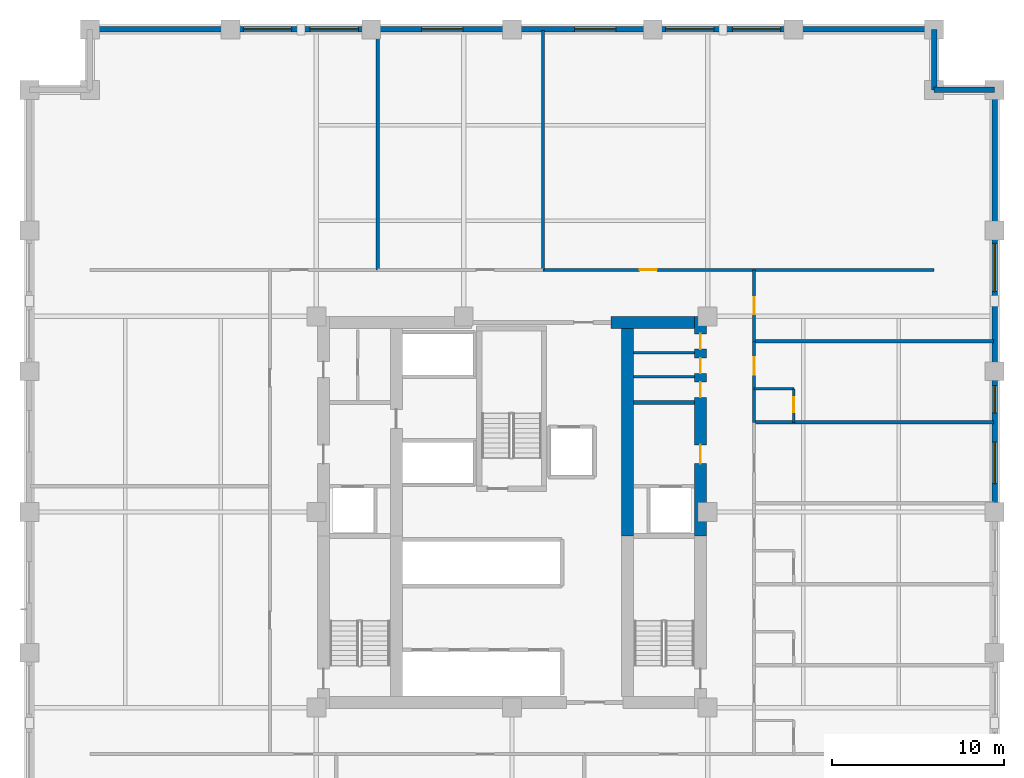
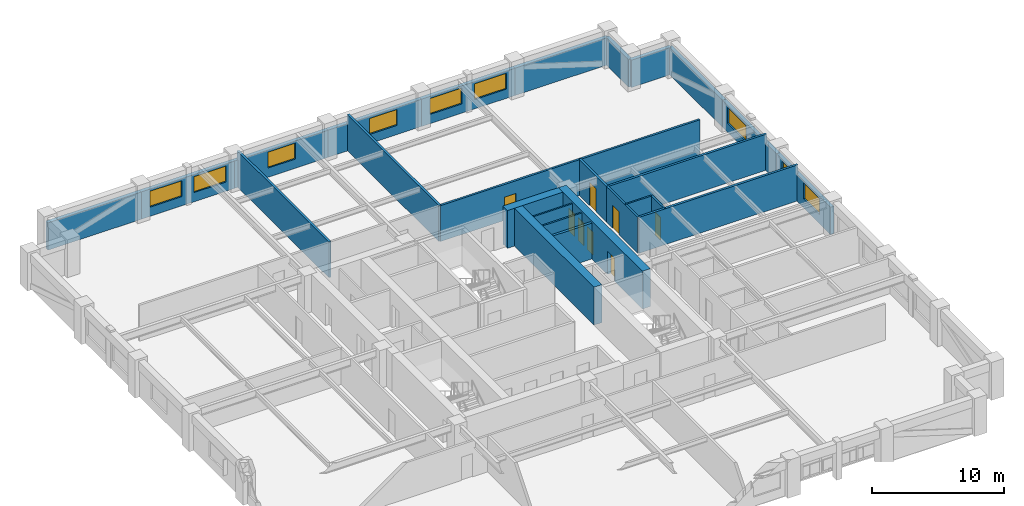
# One storey, part 8 of 11: 26 walls, 9 windows, 8 doors, 17 openings.
"""IFC4 building model written with IfcOpenShell, lengths in metres."""

from ifc_helpers import new_model, si_unit, direction, frame, frame_2d, origin, place, context, subcontext, project, spatial, rectangle, extrude, material, layer, layer_set, type_object, element, fill, save


model = new_model("IFC4")

# Units and contexts
model_context = context("Model", 3, precision=1e-05, world=origin(), true_north=direction((0.0, 1.0)))
body_context = subcontext(model_context, "Body", "Model", "MODEL_VIEW")
ifc_project = project(units=[si_unit("LENGTHUNIT", "METRE"), si_unit("AREAUNIT", "SQUARE_METRE"), si_unit("VOLUMEUNIT", "CUBIC_METRE"), si_unit("PLANEANGLEUNIT", "RADIAN"), si_unit("MASSUNIT", "GRAM", prefix="KILO")], contexts=[model_context])

# Site, building, storey
site_placement = place(None, origin())
site = spatial("IfcSite", under=ifc_project, at=site_placement, CompositionType="ELEMENT")
building_placement = place(site_placement, origin())
building = spatial("IfcBuilding", under=site, at=building_placement, Name="Nhamokura Convention Tower", CompositionType="ELEMENT")
storey_placement = place(building_placement, frame((0.0, 0.0, 70.35009765625)))
storey = spatial("IfcBuildingStorey", under=building, at=storey_placement, Name="L16", CompositionType="ELEMENT", Elevation=70.35009765625)

# Walls
ifc_material_1 = material(Name="Moisture-resistant tile-backer partition", Category="masonry")
ifc_layer_1 = layer(ifc_material_1, 0.139892578125)
ifc_layer_set_1 = layer_set([ifc_layer_1], Name="BathroomWetWall_140")
wall_type_1 = type_object("IfcWallType", Name="BathroomWetWall_140", PredefinedType="STANDARD", material=ifc_layer_set_1)
for number, where, z_axis, x_axis, name in (
    (1, (39.06005859375, 39.85009765625, 0.0), (0.0, 0.0, 1.0), (1.0, 0.0, 0.0), "L16 Wall INT-L16-CWNE1"),
    (2, (39.06005859375, 41.25, 0.0), (0.0, 0.0, 1.0), (1.0, 0.0, 0.0), "L16 Wall INT-L16-CWNE2"),
):
    element("IfcWall", number, at=place(storey_placement, frame(where, z_axis=z_axis, x_axis=x_axis)), inside=storey, type_object=wall_type_1, Name=name, PredefinedType="STANDARD", context=body_context, shape_type="SweptSolid", body=[
        extrude(rectangle(XDim=3.530029296875, YDim=0.139892578125, at=frame_2d((1.76513671875, 0.0))), origin(), (0.0, 0.0, 1.0), 3.31982421875),
    ])
wall_1_placement = place(storey_placement, frame((46.050048828125, 39.14990234375, 0.0), z_axis=(0.0, 0.0, 1.0), x_axis=(1.0, 0.0, 0.0)))
element("IfcWall", 3, at=wall_1_placement, inside=storey, type_object=wall_type_1, Name="L16 Wall INT-L16-BW-E04N", PredefinedType="STANDARD", context=body_context, shape_type="SweptSolid", body=[
    extrude(rectangle(XDim=2.300048828125, YDim=0.139892578125, at=frame_2d((1.14990234375, 0.0))), origin(), (0.0, 0.0, 1.0), 3.31982421875),
])

# Wall, opening, door
wall_2_placement = place(storey_placement, frame((48.35009765625, 37.199951171875, 0.0), z_axis=(0.0, 0.0, 1.0), x_axis=(0.0, 1.0, 0.0)))
wall_2 = element("IfcWall", 4, at=wall_2_placement, inside=storey, type_object=wall_type_1, Name="L16 Wall INT-L16-BW-E04E", PredefinedType="STANDARD", context=body_context, shape_type="SweptSolid", body=[
    extrude(rectangle(XDim=1.949951171875, YDim=0.139892578125, at=frame_2d((0.97509765625, 0.0))), origin(), (0.0, 0.0, 1.0), 3.31982421875),
])
opening_1_placement = place(wall_2_placement, frame((0.580078125, 0.0, 0.0)))
opening_1 = element("IfcOpeningElement", 5, at=opening_1_placement, cuts=wall_2, Name="Opening D-11", PredefinedType="OPENING", context=body_context, shape_type="SweptSolid", body=[
    extrude(rectangle(XDim=0.8798828125, YDim=2.10009765625, at=frame_2d((0.43994140625, 1.050048828125))), frame((0.0, 0.079833984375, 0.0), z_axis=(0.0, -1.0, 0.0), x_axis=(1.0, 0.0, 0.0)), (0.0, 0.0, 1.0), 0.159912109375),
])
ifc_material_2 = material(Name="Solid oak hardwood", Category="wood")
door_type_1 = type_object("IfcDoorType", Name="BathroomDoor_880", OperationType="NOTDEFINED", PredefinedType="DOOR", material=ifc_material_2)
door_1_placement = place(opening_1_placement, origin())
door_1 = element("IfcDoor", 6, at=door_1_placement, inside=storey, type_object=door_type_1, Name="L16 Guest Room En-suite Door", OperationType="SINGLE_SWING_LEFT", OverallHeight=2.10009765625, OverallWidth=0.8798828125, PredefinedType="DOOR", context=body_context, shape_type="SweptSolid", body=[
    extrude(rectangle(XDim=0.8798828125, YDim=2.10009765625, at=frame_2d((0.43994140625, 1.050048828125))), frame((0.0, 0.02490234375, 0.0), z_axis=(0.0, -1.0, 0.0), x_axis=(1.0, 0.0, 0.0)), (0.0, 0.0, 1.0), 0.050048828125),
])
fill(opening_1, door_1)

# Wall
ifc_material_3 = material(Name="Bronze-pigmented precast concrete C45/55", Category="concrete")
ifc_layer_2 = layer(ifc_material_3, 0.320068359375)
ifc_layer_set_2 = layer_set([ifc_layer_2], Name="BronzePrecastSpandrel_320")
wall_type_2 = type_object("IfcWallType", Name="BronzePrecastSpandrel_320", PredefinedType="USERDEFINED", material=ifc_layer_set_2)
wall_3_placement = place(storey_placement, frame((7.5, 60.0, 0.0), z_axis=(0.0, 0.0, 1.0), x_axis=(1.0, 0.0, 0.0)))
element("IfcWall", 7, at=wall_3_placement, inside=storey, type_object=wall_type_2, Name="L16 Braced-Bay Precast Wall NORTH 0", ObjectType="SPANDREL_WALL", PredefinedType="USERDEFINED", context=body_context, shape_type="SweptSolid", body=[
    extrude(rectangle(XDim=8.166748046875, YDim=0.320068359375, at=frame_2d((4.08349609375, 0.0))), origin(), (0.0, 0.0, 1.0), 2.52001953125),
])

# Wall, openings, windows
wall_4_placement = place(storey_placement, frame((15.666748046875, 60.0, 0.0), z_axis=(0.0, 0.0, 1.0), x_axis=(1.0, 0.0, 0.0)))
wall_4 = element("IfcWall", 8, at=wall_4_placement, inside=storey, type_object=wall_type_2, Name="L16 Masonry-Frame Wall NORTH 1", ObjectType="SPANDREL_WALL", PredefinedType="USERDEFINED", context=body_context, shape_type="SweptSolid", body=[
    extrude(rectangle(XDim=8.16650390625, YDim=0.320068359375, at=frame_2d((4.083251953125, 0.0))), origin(), (0.0, 0.0, 1.0), 2.52001953125),
])
opening_2_placement = place(wall_4_placement, frame((0.74169921875, 0.0, 0.85009765625)))
opening_2 = element("IfcOpeningElement", 9, at=opening_2_placement, cuts=wall_4, Name="Opening W-04", PredefinedType="OPENING", context=body_context, shape_type="SweptSolid", body=[
    extrude(rectangle(XDim=2.800048828125, YDim=1.469970703125, at=frame_2d((1.39990234375, 0.73486328125))), frame((0.0, 0.169921875, 0.0), z_axis=(0.0, -1.0, 0.0), x_axis=(1.0, 0.0, 0.0)), (0.0, 0.0, 1.0), 0.340087890625),
])
opening_3_placement = place(wall_4_placement, frame((4.625, 0.0, 0.85009765625)))
opening_3 = element("IfcOpeningElement", 10, at=opening_3_placement, cuts=wall_4, Name="Opening W-04", PredefinedType="OPENING", context=body_context, shape_type="SweptSolid", body=[
    extrude(rectangle(XDim=2.800048828125, YDim=1.469970703125, at=frame_2d((1.39990234375, 0.73486328125))), frame((0.0, 0.169921875, 0.0), z_axis=(0.0, -1.0, 0.0), x_axis=(1.0, 0.0, 0.0)), (0.0, 0.0, 1.0), 0.340087890625),
])
ifc_material_4 = material(Name="Solar-control bronze low-E double glass", Category="glass")
window_type_1 = type_object("IfcWindowType", Name="HotelSuiteWindow_2800", PartitioningType="DOUBLE_PANEL_VERTICAL", PredefinedType="WINDOW", material=ifc_material_4)
window_1_placement = place(opening_2_placement, origin())
window_1 = element("IfcWindow", 11, at=window_1_placement, inside=storey, type_object=window_type_1, Name="L16 Facade Window NORTH 1-1", OverallHeight=1.469970703125, OverallWidth=2.800048828125, PartitioningType="SINGLE_PANEL", PredefinedType="WINDOW", context=body_context, shape_type="SweptSolid", body=[
    extrude(rectangle(XDim=2.800048828125, YDim=1.469970703125, at=frame_2d((1.39990234375, 0.73486328125))), frame((0.0, 0.030029296875, 0.0), z_axis=(0.0, -1.0, 0.0), x_axis=(1.0, 0.0, 0.0)), (0.0, 0.0, 1.0), 0.06005859375),
])
fill(opening_2, window_1)
window_2_placement = place(opening_3_placement, origin())
window_2 = element("IfcWindow", 12, at=window_2_placement, inside=storey, type_object=window_type_1, Name="L16 Facade Window NORTH 1-2", OverallHeight=1.469970703125, OverallWidth=2.800048828125, PartitioningType="SINGLE_PANEL", PredefinedType="WINDOW", context=body_context, shape_type="SweptSolid", body=[
    extrude(rectangle(XDim=2.800048828125, YDim=1.469970703125, at=frame_2d((1.39990234375, 0.73486328125))), frame((0.0, 0.030029296875, 0.0), z_axis=(0.0, -1.0, 0.0), x_axis=(1.0, 0.0, 0.0)), (0.0, 0.0, 1.0), 0.06005859375),
])
fill(opening_3, window_2)

# Wall, opening, window
wall_5_placement = place(storey_placement, frame((23.833251953125, 60.0, 0.0), z_axis=(0.0, 0.0, 1.0), x_axis=(1.0, 0.0, 0.0)))
wall_5 = element("IfcWall", 13, at=wall_5_placement, inside=storey, type_object=wall_type_2, Name="L16 Masonry-Frame Wall NORTH 2", ObjectType="SPANDREL_WALL", PredefinedType="USERDEFINED", context=body_context, shape_type="SweptSolid", body=[
    extrude(rectangle(XDim=8.166748046875, YDim=0.320068359375, at=frame_2d((4.08349609375, 0.0))), origin(), (0.0, 0.0, 1.0), 2.52001953125),
])
opening_4_placement = place(wall_5_placement, frame((2.916748046875, 0.0, 0.85009765625)))
opening_4 = element("IfcOpeningElement", 14, at=opening_4_placement, cuts=wall_5, Name="Opening W-03", PredefinedType="OPENING", context=body_context, shape_type="SweptSolid", body=[
    extrude(rectangle(XDim=2.39990234375, YDim=1.469970703125, at=frame_2d((1.199951171875, 0.73486328125))), frame((0.0, 0.169921875, 0.0), z_axis=(0.0, -1.0, 0.0), x_axis=(1.0, 0.0, 0.0)), (0.0, 0.0, 1.0), 0.340087890625),
])
ifc_material_5 = material(Name="Solar-control bronze low-E double glass", Category="glass")
window_type_2 = type_object("IfcWindowType", Name="HotelBayWindow_2400", PartitioningType="DOUBLE_PANEL_VERTICAL", PredefinedType="WINDOW", material=ifc_material_5)
window_3_placement = place(opening_4_placement, origin())
window_3 = element("IfcWindow", 15, at=window_3_placement, inside=storey, type_object=window_type_2, Name="L16 Facade Window NORTH 2", OverallHeight=1.469970703125, OverallWidth=2.39990234375, PartitioningType="SINGLE_PANEL", PredefinedType="WINDOW", context=body_context, shape_type="SweptSolid", body=[
    extrude(rectangle(XDim=2.39990234375, YDim=1.469970703125, at=frame_2d((1.199951171875, 0.73486328125))), frame((0.0, 0.030029296875, 0.0), z_axis=(0.0, -1.0, 0.0), x_axis=(1.0, 0.0, 0.0)), (0.0, 0.0, 1.0), 0.06005859375),
])
fill(opening_4, window_3)

wall_6_placement = place(storey_placement, frame((32.0, 60.0, 0.0), z_axis=(0.0, 0.0, 1.0), x_axis=(1.0, 0.0, 0.0)))
wall_6 = element("IfcWall", 16, at=wall_6_placement, inside=storey, type_object=wall_type_2, Name="L16 Masonry-Frame Wall NORTH 3", ObjectType="SPANDREL_WALL", PredefinedType="USERDEFINED", context=body_context, shape_type="SweptSolid", body=[
    extrude(rectangle(XDim=8.166748046875, YDim=0.320068359375, at=frame_2d((4.08349609375, 0.0))), origin(), (0.0, 0.0, 1.0), 2.52001953125),
])
opening_5_placement = place(wall_6_placement, frame((3.63330078125, 0.0, 0.85009765625)))
opening_5 = element("IfcOpeningElement", 17, at=opening_5_placement, cuts=wall_6, Name="Opening W-03", PredefinedType="OPENING", context=body_context, shape_type="SweptSolid", body=[
    extrude(rectangle(XDim=2.39990234375, YDim=1.469970703125, at=frame_2d((1.199951171875, 0.73486328125))), frame((0.0, 0.169921875, 0.0), z_axis=(0.0, -1.0, 0.0), x_axis=(1.0, 0.0, 0.0)), (0.0, 0.0, 1.0), 0.340087890625),
])
window_4_placement = place(opening_5_placement, origin())
window_4 = element("IfcWindow", 18, at=window_4_placement, inside=storey, type_object=window_type_2, Name="L16 Facade Window NORTH 3-2", OverallHeight=1.469970703125, OverallWidth=2.39990234375, PartitioningType="SINGLE_PANEL", PredefinedType="WINDOW", context=body_context, shape_type="SweptSolid", body=[
    extrude(rectangle(XDim=2.39990234375, YDim=1.469970703125, at=frame_2d((1.199951171875, 0.73486328125))), frame((0.0, 0.030029296875, 0.0), z_axis=(0.0, -1.0, 0.0), x_axis=(1.0, 0.0, 0.0)), (0.0, 0.0, 1.0), 0.06005859375),
])
fill(opening_5, window_4)

# Wall, openings, windows
wall_7_placement = place(storey_placement, frame((40.166748046875, 60.0, 0.0), z_axis=(0.0, 0.0, 1.0), x_axis=(1.0, 0.0, 0.0)))
wall_7 = element("IfcWall", 19, at=wall_7_placement, inside=storey, type_object=wall_type_2, Name="L16 Masonry-Frame Wall NORTH 4", ObjectType="SPANDREL_WALL", PredefinedType="USERDEFINED", context=body_context, shape_type="SweptSolid", body=[
    extrude(rectangle(XDim=8.16650390625, YDim=0.320068359375, at=frame_2d((4.083251953125, 0.0))), origin(), (0.0, 0.0, 1.0), 2.52001953125),
])
opening_6_placement = place(wall_7_placement, frame((0.74169921875, 0.0, 0.85009765625)))
opening_6 = element("IfcOpeningElement", 20, at=opening_6_placement, cuts=wall_7, Name="Opening W-04", PredefinedType="OPENING", context=body_context, shape_type="SweptSolid", body=[
    extrude(rectangle(XDim=2.800048828125, YDim=1.469970703125, at=frame_2d((1.39990234375, 0.73486328125))), frame((0.0, 0.169921875, 0.0), z_axis=(0.0, -1.0, 0.0), x_axis=(1.0, 0.0, 0.0)), (0.0, 0.0, 1.0), 0.340087890625),
])
opening_7_placement = place(wall_7_placement, frame((4.625, 0.0, 0.85009765625)))
opening_7 = element("IfcOpeningElement", 21, at=opening_7_placement, cuts=wall_7, Name="Opening W-04", PredefinedType="OPENING", context=body_context, shape_type="SweptSolid", body=[
    extrude(rectangle(XDim=2.800048828125, YDim=1.469970703125, at=frame_2d((1.39990234375, 0.73486328125))), frame((0.0, 0.169921875, 0.0), z_axis=(0.0, -1.0, 0.0), x_axis=(1.0, 0.0, 0.0)), (0.0, 0.0, 1.0), 0.340087890625),
])
window_5_placement = place(opening_6_placement, origin())
window_5 = element("IfcWindow", 22, at=window_5_placement, inside=storey, type_object=window_type_1, Name="L16 Facade Window NORTH 4-1", OverallHeight=1.469970703125, OverallWidth=2.800048828125, PartitioningType="SINGLE_PANEL", PredefinedType="WINDOW", context=body_context, shape_type="SweptSolid", body=[
    extrude(rectangle(XDim=2.800048828125, YDim=1.469970703125, at=frame_2d((1.39990234375, 0.73486328125))), frame((0.0, 0.030029296875, 0.0), z_axis=(0.0, -1.0, 0.0), x_axis=(1.0, 0.0, 0.0)), (0.0, 0.0, 1.0), 0.06005859375),
])
fill(opening_6, window_5)
window_6_placement = place(opening_7_placement, origin())
window_6 = element("IfcWindow", 23, at=window_6_placement, inside=storey, type_object=window_type_1, Name="L16 Facade Window NORTH 4-2", OverallHeight=1.469970703125, OverallWidth=2.800048828125, PartitioningType="SINGLE_PANEL", PredefinedType="WINDOW", context=body_context, shape_type="SweptSolid", body=[
    extrude(rectangle(XDim=2.800048828125, YDim=1.469970703125, at=frame_2d((1.39990234375, 0.73486328125))), frame((0.0, 0.030029296875, 0.0), z_axis=(0.0, -1.0, 0.0), x_axis=(1.0, 0.0, 0.0)), (0.0, 0.0, 1.0), 0.06005859375),
])
fill(opening_7, window_6)

# Wall
wall_8_placement = place(storey_placement, frame((48.333251953125, 60.0, 0.0), z_axis=(0.0, 0.0, 1.0), x_axis=(1.0, 0.0, 0.0)))
element("IfcWall", 24, at=wall_8_placement, inside=storey, type_object=wall_type_2, Name="L16 Braced-Bay Precast Wall NORTH 5", ObjectType="SPANDREL_WALL", PredefinedType="USERDEFINED", context=body_context, shape_type="SweptSolid", body=[
    extrude(rectangle(XDim=8.166748046875, YDim=0.320068359375, at=frame_2d((4.08349609375, 0.0))), origin(), (0.0, 0.0, 1.0), 2.52001953125),
])

# Wall, openings, windows
wall_9_placement = place(storey_placement, frame((60.0, 40.166748046875, 0.0), z_axis=(0.0, 0.0, 1.0), x_axis=(0.0, -1.0, 0.0)))
wall_9 = element("IfcWall", 25, at=wall_9_placement, inside=storey, type_object=wall_type_2, Name="L16 Masonry-Frame Wall EAST 3", ObjectType="SPANDREL_WALL", PredefinedType="USERDEFINED", context=body_context, shape_type="SweptSolid", body=[
    extrude(rectangle(XDim=8.166748046875, YDim=0.320068359375, at=frame_2d((4.08349609375, 0.0))), origin(), (0.0, 0.0, 1.0), 2.52001953125),
])
opening_8_placement = place(wall_9_placement, frame((0.833251953125, 0.0, 0.85009765625)))
opening_8 = element("IfcOpeningElement", 26, at=opening_8_placement, cuts=wall_9, Name="Opening W-11", PredefinedType="OPENING", context=body_context, shape_type="SweptSolid", body=[
    extrude(rectangle(XDim=1.60009765625, YDim=1.469970703125, at=frame_2d((0.800048828125, 0.73486328125))), frame((0.0, 0.169921875, 0.0), z_axis=(0.0, -1.0, 0.0), x_axis=(1.0, 0.0, 0.0)), (0.0, 0.0, 1.0), 0.340087890625),
])
opening_9_placement = place(wall_9_placement, frame((4.11669921875, 0.0, 0.85009765625)))
opening_9 = element("IfcOpeningElement", 27, at=opening_9_placement, cuts=wall_9, Name="Opening W-03", PredefinedType="OPENING", context=body_context, shape_type="SweptSolid", body=[
    extrude(rectangle(XDim=2.39990234375, YDim=1.469970703125, at=frame_2d((1.199951171875, 0.73486328125))), frame((0.0, 0.169921875, 0.0), z_axis=(0.0, -1.0, 0.0), x_axis=(1.0, 0.0, 0.0)), (0.0, 0.0, 1.0), 0.340087890625),
])
window_7_placement = place(opening_9_placement, origin())
window_7 = element("IfcWindow", 28, at=window_7_placement, inside=storey, type_object=window_type_2, Name="L16 Facade Window EAST 3-2", OverallHeight=1.469970703125, OverallWidth=2.39990234375, PartitioningType="SINGLE_PANEL", PredefinedType="WINDOW", context=body_context, shape_type="SweptSolid", body=[
    extrude(rectangle(XDim=2.39990234375, YDim=1.469970703125, at=frame_2d((1.199951171875, 0.73486328125))), frame((0.0, 0.030029296875, 0.0), z_axis=(0.0, -1.0, 0.0), x_axis=(1.0, 0.0, 0.0)), (0.0, 0.0, 1.0), 0.06005859375),
])
fill(opening_9, window_7)
ifc_material_6 = material(Name="Solar-control bronze low-E double glass", Category="glass")
window_type_3 = type_object("IfcWindowType", Name="NotchCornerWindow_1600", PartitioningType="SINGLE_PANEL", PredefinedType="WINDOW", material=ifc_material_6)
window_8_placement = place(opening_8_placement, origin())
window_8 = element("IfcWindow", 29, at=window_8_placement, inside=storey, type_object=window_type_3, Name="L16 Facade Window EAST 3-1", OverallHeight=1.469970703125, OverallWidth=1.60009765625, PartitioningType="SINGLE_PANEL", PredefinedType="WINDOW", context=body_context, shape_type="SweptSolid", body=[
    extrude(rectangle(XDim=1.60009765625, YDim=1.469970703125, at=frame_2d((0.800048828125, 0.73486328125))), frame((0.0, 0.030029296875, 0.0), z_axis=(0.0, -1.0, 0.0), x_axis=(1.0, 0.0, 0.0)), (0.0, 0.0, 1.0), 0.06005859375),
])
fill(opening_8, window_8)

# Wall, opening, window
wall_10_placement = place(storey_placement, frame((60.0, 48.333251953125, 0.0), z_axis=(0.0, 0.0, 1.0), x_axis=(0.0, -1.0, 0.0)))
wall_10 = element("IfcWall", 30, at=wall_10_placement, inside=storey, type_object=wall_type_2, Name="L16 Masonry-Frame Wall EAST 4", ObjectType="SPANDREL_WALL", PredefinedType="USERDEFINED", context=body_context, shape_type="SweptSolid", body=[
    extrude(rectangle(XDim=8.16650390625, YDim=0.320068359375, at=frame_2d((4.083251953125, 0.0))), origin(), (0.0, 0.0, 1.0), 2.52001953125),
])
opening_10_placement = place(wall_10_placement, frame((0.74169921875, 0.0, 0.85009765625)))
opening_10 = element("IfcOpeningElement", 31, at=opening_10_placement, cuts=wall_10, Name="Opening W-04", PredefinedType="OPENING", context=body_context, shape_type="SweptSolid", body=[
    extrude(rectangle(XDim=2.800048828125, YDim=1.469970703125, at=frame_2d((1.39990234375, 0.73486328125))), frame((0.0, 0.169921875, 0.0), z_axis=(0.0, -1.0, 0.0), x_axis=(1.0, 0.0, 0.0)), (0.0, 0.0, 1.0), 0.340087890625),
])
window_9_placement = place(opening_10_placement, origin())
window_9 = element("IfcWindow", 32, at=window_9_placement, inside=storey, type_object=window_type_1, Name="L16 Facade Window EAST 4-1", OverallHeight=1.469970703125, OverallWidth=2.800048828125, PartitioningType="SINGLE_PANEL", PredefinedType="WINDOW", context=body_context, shape_type="SweptSolid", body=[
    extrude(rectangle(XDim=2.800048828125, YDim=1.469970703125, at=frame_2d((1.39990234375, 0.73486328125))), frame((0.0, 0.030029296875, 0.0), z_axis=(0.0, -1.0, 0.0), x_axis=(1.0, 0.0, 0.0)), (0.0, 0.0, 1.0), 0.06005859375),
])
fill(opening_10, window_9)

# Walls
wall_11_placement = place(storey_placement, frame((60.0, 56.5, 0.0), z_axis=(0.0, 0.0, 1.0), x_axis=(0.0, -1.0, 0.0)))
element("IfcWall", 33, at=wall_11_placement, inside=storey, type_object=wall_type_2, Name="L16 Braced-Bay Precast Wall EAST 5", ObjectType="SPANDREL_WALL", PredefinedType="USERDEFINED", context=body_context, shape_type="SweptSolid", body=[
    extrude(rectangle(XDim=8.166748046875, YDim=0.320068359375, at=frame_2d((4.08349609375, 0.0))), origin(), (0.0, 0.0, 1.0), 2.52001953125),
])
for number, where, z_axis, x_axis, name in (
    (34, (56.5, 56.5, 0.0), (0.0, 0.0, 1.0), (1.0, 0.0, 0.0), "L16 Notched Corner Wall NE1"),
    (35, (56.5, 60.0, 0.0), (0.0, 0.0, 1.0), (0.0, -1.0, 0.0), "L16 Notched Corner Wall NE2"),
):
    element("IfcWall", number, at=place(storey_placement, frame(where, z_axis=z_axis, x_axis=x_axis)), inside=storey, type_object=wall_type_2, Name=name, ObjectType="SPANDREL_WALL", PredefinedType="USERDEFINED", context=body_context, shape_type="SweptSolid", body=[
        extrude(rectangle(XDim=3.5, YDim=0.320068359375, at=frame_2d((1.75, 0.0))), origin(), (0.0, 0.0, 1.0), 2.52001953125),
    ])

# Wall, openings, doors
ifc_material_7 = material(Name="Concrete C70/85", Category="concrete")
ifc_layer_3 = layer(ifc_material_7, 0.699951171875)
ifc_layer_set_3 = layer_set([ifc_layer_3], Name="CoreShearWall_700")
wall_type_3 = type_object("IfcWallType", Name="CoreShearWall_700", PredefinedType="SHEAR", material=ifc_layer_set_3)
wall_12_placement = place(storey_placement, frame((42.93994140625, 30.60009765625, 0.0), z_axis=(0.0, 0.0, 1.0), x_axis=(0.0, 1.0, 0.0)))
wall_12 = element("IfcWall", 36, at=wall_12_placement, inside=storey, type_object=wall_type_3, Name="L16 Core Shear Wall CW-EN", PredefinedType="SHEAR", context=body_context, shape_type="SweptSolid", body=[
    extrude(rectangle(XDim=12.75, YDim=0.699951171875, at=frame_2d((6.375, 0.0))), origin(), (0.0, 0.0, 1.0), 3.5),
])
opening_11_placement = place(wall_12_placement, frame((4.199951171875, 0.0, 0.0)))
opening_11 = element("IfcOpeningElement", 37, at=opening_11_placement, cuts=wall_12, Name="Opening D-05", PredefinedType="OPENING", context=body_context, shape_type="SweptSolid", body=[
    extrude(rectangle(XDim=1.10009765625, YDim=2.14990234375, at=frame_2d((0.550048828125, 1.074951171875))), frame((0.0, 0.35986328125, 0.0), z_axis=(0.0, -1.0, 0.0), x_axis=(1.0, 0.0, 0.0)), (0.0, 0.0, 1.0), 0.719970703125),
])
opening_12_placement = place(wall_12_placement, frame((8.050048828125, 0.0, 0.0)))
opening_12 = element("IfcOpeningElement", 38, at=opening_12_placement, cuts=wall_12, Name="Opening D-11", PredefinedType="OPENING", context=body_context, shape_type="SweptSolid", body=[
    extrude(rectangle(XDim=0.8798828125, YDim=2.10009765625, at=frame_2d((0.43994140625, 1.050048828125))), frame((0.0, 0.35986328125, 0.0), z_axis=(0.0, -1.0, 0.0), x_axis=(1.0, 0.0, 0.0)), (0.0, 0.0, 1.0), 0.719970703125),
])
opening_13_placement = place(wall_12_placement, frame((9.449951171875, 0.0, 0.0)))
opening_13 = element("IfcOpeningElement", 39, at=opening_13_placement, cuts=wall_12, Name="Opening D-11", PredefinedType="OPENING", context=body_context, shape_type="SweptSolid", body=[
    extrude(rectangle(XDim=0.8798828125, YDim=2.10009765625, at=frame_2d((0.43994140625, 1.050048828125))), frame((0.0, 0.35986328125, 0.0), z_axis=(0.0, -1.0, 0.0), x_axis=(1.0, 0.0, 0.0)), (0.0, 0.0, 1.0), 0.719970703125),
])
opening_14_placement = place(wall_12_placement, frame((10.85009765625, 0.0, 0.0)))
opening_14 = element("IfcOpeningElement", 40, at=opening_14_placement, cuts=wall_12, Name="Opening D-11", PredefinedType="OPENING", context=body_context, shape_type="SweptSolid", body=[
    extrude(rectangle(XDim=0.8798828125, YDim=2.10009765625, at=frame_2d((0.43994140625, 1.050048828125))), frame((0.0, 0.35986328125, 0.0), z_axis=(0.0, -1.0, 0.0), x_axis=(1.0, 0.0, 0.0)), (0.0, 0.0, 1.0), 0.719970703125),
])
door_2_placement = place(opening_12_placement, origin())
door_2 = element("IfcDoor", 41, at=door_2_placement, inside=storey, type_object=door_type_1, Name="L16 Core Door INT-L16-D-MWC", OperationType="SINGLE_SWING_LEFT", OverallHeight=2.10009765625, OverallWidth=0.8798828125, PredefinedType="DOOR", context=body_context, shape_type="SweptSolid", body=[
    extrude(rectangle(XDim=0.8798828125, YDim=2.10009765625, at=frame_2d((0.43994140625, 1.050048828125))), frame((0.0, 0.02490234375, 0.0), z_axis=(0.0, -1.0, 0.0), x_axis=(1.0, 0.0, 0.0)), (0.0, 0.0, 1.0), 0.050048828125),
])
fill(opening_12, door_2)
door_3_placement = place(opening_13_placement, origin())
door_3 = element("IfcDoor", 42, at=door_3_placement, inside=storey, type_object=door_type_1, Name="L16 Core Door INT-L16-D-FWC", OperationType="SINGLE_SWING_RIGHT", OverallHeight=2.10009765625, OverallWidth=0.8798828125, PredefinedType="DOOR", context=body_context, shape_type="SweptSolid", body=[
    extrude(rectangle(XDim=0.8798828125, YDim=2.10009765625, at=frame_2d((0.43994140625, 1.050048828125))), frame((0.0, 0.02490234375, 0.0), z_axis=(0.0, -1.0, 0.0), x_axis=(1.0, 0.0, 0.0)), (0.0, 0.0, 1.0), 0.050048828125),
])
fill(opening_13, door_3)
door_4_placement = place(opening_14_placement, origin())
door_4 = element("IfcDoor", 43, at=door_4_placement, inside=storey, type_object=door_type_1, Name="L16 Core Door INT-L16-D-ARC", OperationType="SINGLE_SWING_LEFT", OverallHeight=2.10009765625, OverallWidth=0.8798828125, PredefinedType="DOOR", context=body_context, shape_type="SweptSolid", body=[
    extrude(rectangle(XDim=0.8798828125, YDim=2.10009765625, at=frame_2d((0.43994140625, 1.050048828125))), frame((0.0, 0.02490234375, 0.0), z_axis=(0.0, -1.0, 0.0), x_axis=(1.0, 0.0, 0.0)), (0.0, 0.0, 1.0), 0.050048828125),
])
fill(opening_14, door_4)
ifc_material_8 = material(Name="Fire-rated steel door", Category="steel")
door_type_2 = type_object("IfcDoorType", Name="FireLobbyDoor_1100", OperationType="NOTDEFINED", PredefinedType="DOOR", material=ifc_material_8)
door_5_placement = place(opening_11_placement, origin())
door_5 = element("IfcDoor", 44, at=door_5_placement, inside=storey, type_object=door_type_2, Name="L16 Core Door INT-L16-D-FFLE", OperationType="SINGLE_SWING_LEFT", OverallHeight=2.14990234375, OverallWidth=1.10009765625, PredefinedType="DOOR", context=body_context, shape_type="SweptSolid", body=[
    extrude(rectangle(XDim=1.10009765625, YDim=2.14990234375, at=frame_2d((0.550048828125, 1.074951171875))), frame((0.0, 0.02490234375, 0.0), z_axis=(0.0, -1.0, 0.0), x_axis=(1.0, 0.0, 0.0)), (0.0, 0.0, 1.0), 0.050048828125),
])
fill(opening_11, door_5)

# Walls
wall_13_placement = place(storey_placement, frame((37.75, 43.0, 0.0), z_axis=(0.0, 0.0, 1.0), x_axis=(1.0, 0.0, 0.0)))
element("IfcWall", 45, at=wall_13_placement, inside=storey, type_object=wall_type_3, Name="L16 Core Shear Wall CW-N2", PredefinedType="SHEAR", context=body_context, shape_type="SweptSolid", body=[
    extrude(rectangle(XDim=4.840087890625, YDim=0.699951171875, at=frame_2d((2.419921875, 0.0))), origin(), (0.0, 0.0, 1.0), 3.5),
])
wall_14_placement = place(storey_placement, frame((38.7099609375, 30.60009765625, 0.0), z_axis=(0.0, 0.0, 1.0), x_axis=(0.0, 1.0, 0.0)))
element("IfcWall", 46, at=wall_14_placement, inside=storey, type_object=wall_type_3, Name="L16 Core Shear Wall CW-IEN", PredefinedType="SHEAR", context=body_context, shape_type="SweptSolid", body=[
    extrude(rectangle(XDim=12.0498046875, YDim=0.699951171875, at=frame_2d((6.02490234375, 0.0))), origin(), (0.0, 0.0, 1.0), 3.5),
])

# Wall, opening, door
ifc_material_9 = material(Name="Fire-rated gypsum and masonry partition", Category="masonry")
ifc_layer_4 = layer(ifc_material_9, 0.179931640625)
ifc_layer_set_4 = layer_set([ifc_layer_4], Name="CorridorRatedWall_180")
wall_type_4 = type_object("IfcWallType", Name="CorridorRatedWall_180", PredefinedType="STANDARD", material=ifc_layer_set_4)
wall_15_placement = place(storey_placement, frame((33.800048828125, 46.050048828125, 0.0), z_axis=(0.0, 0.0, 1.0), x_axis=(1.0, 0.0, 0.0)))
wall_15 = element("IfcWall", 47, at=wall_15_placement, inside=storey, type_object=wall_type_4, Name="L16 Wall INT-L16-CW-N02", PredefinedType="STANDARD", context=body_context, shape_type="SweptSolid", body=[
    extrude(rectangle(XDim=22.699951171875, YDim=0.179931640625, at=frame_2d((11.35009765625, 0.0))), origin(), (0.0, 0.0, 1.0), 3.31982421875),
])
opening_15_placement = place(wall_15_placement, frame((5.60009765625, 0.0, 0.0)))
opening_15 = element("IfcOpeningElement", 48, at=opening_15_placement, cuts=wall_15, Name="Opening D-07", PredefinedType="OPENING", context=body_context, shape_type="SweptSolid", body=[
    extrude(rectangle(XDim=1.0, YDim=2.14990234375, at=frame_2d((0.5, 1.074951171875))), frame((0.0, 0.099853515625, 0.0), z_axis=(0.0, -1.0, 0.0), x_axis=(1.0, 0.0, 0.0)), (0.0, 0.0, 1.0), 0.199951171875),
])
ifc_material_10 = material(Name="Solid oak hardwood", Category="wood")
door_type_3 = type_object("IfcDoorType", Name="HotelSuiteEntryDoor_1000", OperationType="NOTDEFINED", PredefinedType="DOOR", material=ifc_material_10)
door_6_placement = place(opening_15_placement, origin())
door_6 = element("IfcDoor", 49, at=door_6_placement, inside=storey, type_object=door_type_3, Name="L16 Conference Salon N03 Door", OperationType="SINGLE_SWING_LEFT", OverallHeight=2.14990234375, OverallWidth=1.0, PredefinedType="DOOR", context=body_context, shape_type="SweptSolid", body=[
    extrude(rectangle(XDim=1.0, YDim=2.14990234375, at=frame_2d((0.5, 1.074951171875))), frame((0.0, 0.02490234375, 0.0), z_axis=(0.0, -1.0, 0.0), x_axis=(1.0, 0.0, 0.0)), (0.0, 0.0, 1.0), 0.050048828125),
])
fill(opening_15, door_6)

wall_16_placement = place(storey_placement, frame((46.050048828125, 37.199951171875, 0.0), z_axis=(0.0, 0.0, 1.0), x_axis=(0.0, 1.0, 0.0)))
wall_16 = element("IfcWall", 50, at=wall_16_placement, inside=storey, type_object=wall_type_4, Name="L16 Wall INT-L16-CW-E04", PredefinedType="STANDARD", context=body_context, shape_type="SweptSolid", body=[
    extrude(rectangle(XDim=4.699951171875, YDim=0.179931640625, at=frame_2d((2.35009765625, 0.0))), origin(), (0.0, 0.0, 1.0), 3.31982421875),
])
opening_16_placement = place(wall_16_placement, frame((2.77490234375, 0.0, 0.0)))
opening_16 = element("IfcOpeningElement", 51, at=opening_16_placement, cuts=wall_16, Name="Opening D-07", PredefinedType="OPENING", context=body_context, shape_type="SweptSolid", body=[
    extrude(rectangle(XDim=1.0, YDim=2.14990234375, at=frame_2d((0.5, 1.074951171875))), frame((0.0, 0.099853515625, 0.0), z_axis=(0.0, -1.0, 0.0), x_axis=(1.0, 0.0, 0.0)), (0.0, 0.0, 1.0), 0.199951171875),
])
door_7_placement = place(opening_16_placement, origin())
door_7 = element("IfcDoor", 52, at=door_7_placement, inside=storey, type_object=door_type_3, Name="L16 Guest Room E05 Door", OperationType="SINGLE_SWING_LEFT", OverallHeight=2.14990234375, OverallWidth=1.0, PredefinedType="DOOR", context=body_context, shape_type="SweptSolid", body=[
    extrude(rectangle(XDim=1.0, YDim=2.14990234375, at=frame_2d((0.5, 1.074951171875))), frame((0.0, 0.02490234375, 0.0), z_axis=(0.0, -1.0, 0.0), x_axis=(1.0, 0.0, 0.0)), (0.0, 0.0, 1.0), 0.050048828125),
])
fill(opening_16, door_7)

wall_17_placement = place(storey_placement, frame((46.050048828125, 41.89990234375, 0.0), z_axis=(0.0, 0.0, 1.0), x_axis=(0.0, 1.0, 0.0)))
wall_17 = element("IfcWall", 53, at=wall_17_placement, inside=storey, type_object=wall_type_4, Name="L16 Wall INT-L16-CW-E05", PredefinedType="STANDARD", context=body_context, shape_type="SweptSolid", body=[
    extrude(rectangle(XDim=4.150146484375, YDim=0.179931640625, at=frame_2d((2.0751953125, 0.0))), origin(), (0.0, 0.0, 1.0), 3.31982421875),
])
opening_17_placement = place(wall_17_placement, frame((1.574951171875, 0.0, 0.0)))
opening_17 = element("IfcOpeningElement", 54, at=opening_17_placement, cuts=wall_17, Name="Opening D-07", PredefinedType="OPENING", context=body_context, shape_type="SweptSolid", body=[
    extrude(rectangle(XDim=1.0, YDim=2.14990234375, at=frame_2d((0.5, 1.074951171875))), frame((0.0, 0.099853515625, 0.0), z_axis=(0.0, -1.0, 0.0), x_axis=(1.0, 0.0, 0.0)), (0.0, 0.0, 1.0), 0.199951171875),
])
door_8_placement = place(opening_17_placement, origin())
door_8 = element("IfcDoor", 55, at=door_8_placement, inside=storey, type_object=door_type_3, Name="L16 Service Linen Room E06 Door", OperationType="SINGLE_SWING_RIGHT", OverallHeight=2.14990234375, OverallWidth=1.0, PredefinedType="DOOR", context=body_context, shape_type="SweptSolid", body=[
    extrude(rectangle(XDim=1.0, YDim=2.14990234375, at=frame_2d((0.5, 1.074951171875))), frame((0.0, 0.02490234375, 0.0), z_axis=(0.0, -1.0, 0.0), x_axis=(1.0, 0.0, 0.0)), (0.0, 0.0, 1.0), 0.050048828125),
])
fill(opening_17, door_8)

# Walls
ifc_material_11 = material(Name="Autoclaved concrete blockwork", Category="masonry")
ifc_layer_5 = layer(ifc_material_11, 0.219970703125)
ifc_layer_set_5 = layer_set([ifc_layer_5], Name="FireLobbyWall_220")
wall_type_5 = type_object("IfcWallType", Name="FireLobbyWall_220", PredefinedType="STANDARD", material=ifc_layer_set_5)
wall_18_placement = place(storey_placement, frame((39.06005859375, 38.35009765625, 0.0), z_axis=(0.0, 0.0, 1.0), x_axis=(1.0, 0.0, 0.0)))
element("IfcWall", 56, at=wall_18_placement, inside=storey, type_object=wall_type_5, Name="L16 Wall INT-L16-FFE-N", PredefinedType="STANDARD", context=body_context, shape_type="SweptSolid", body=[
    extrude(rectangle(XDim=3.530029296875, YDim=0.219970703125, at=frame_2d((1.76513671875, 0.0))), origin(), (0.0, 0.0, 1.0), 3.31982421875),
])
ifc_material_12 = material(Name="Acoustic twin-stud gypsum partition", Category="masonry")
ifc_layer_6 = layer(ifc_material_12, 0.199951171875)
ifc_layer_set_6 = layer_set([ifc_layer_6], Name="HotelDemisingWall_200")
wall_type_6 = type_object("IfcWallType", Name="HotelDemisingWall_200", PredefinedType="STANDARD", material=ifc_layer_set_6)
for number, where, z_axis, x_axis, name in (
    (57, (24.199951171875, 46.050048828125, 0.0), (0.0, 0.0, 1.0), (0.0, 1.0, 0.0), "L16 Wall INT-L16-RW-N01"),
    (58, (33.800048828125, 46.050048828125, 0.0), (0.0, 0.0, 1.0), (0.0, 1.0, 0.0), "L16 Wall INT-L16-RW-N02"),
    (59, (46.050048828125, 37.199951171875, 0.0), (0.0, 0.0, 1.0), (1.0, 0.0, 0.0), "L16 Wall INT-L16-RW-E04"),
    (60, (46.050048828125, 41.89990234375, 0.0), (0.0, 0.0, 1.0), (1.0, 0.0, 0.0), "L16 Wall INT-L16-RW-E05"),
):
    element("IfcWall", number, at=place(storey_placement, frame(where, z_axis=z_axis, x_axis=x_axis)), inside=storey, type_object=wall_type_6, Name=name, PredefinedType="STANDARD", context=body_context, shape_type="SweptSolid", body=[
        extrude(rectangle(XDim=13.889892578125, YDim=0.199951171875, at=frame_2d((6.94482421875, 0.0))), origin(), (0.0, 0.0, 1.0), 3.31982421875),
    ])

save(model, "model.ifc")
